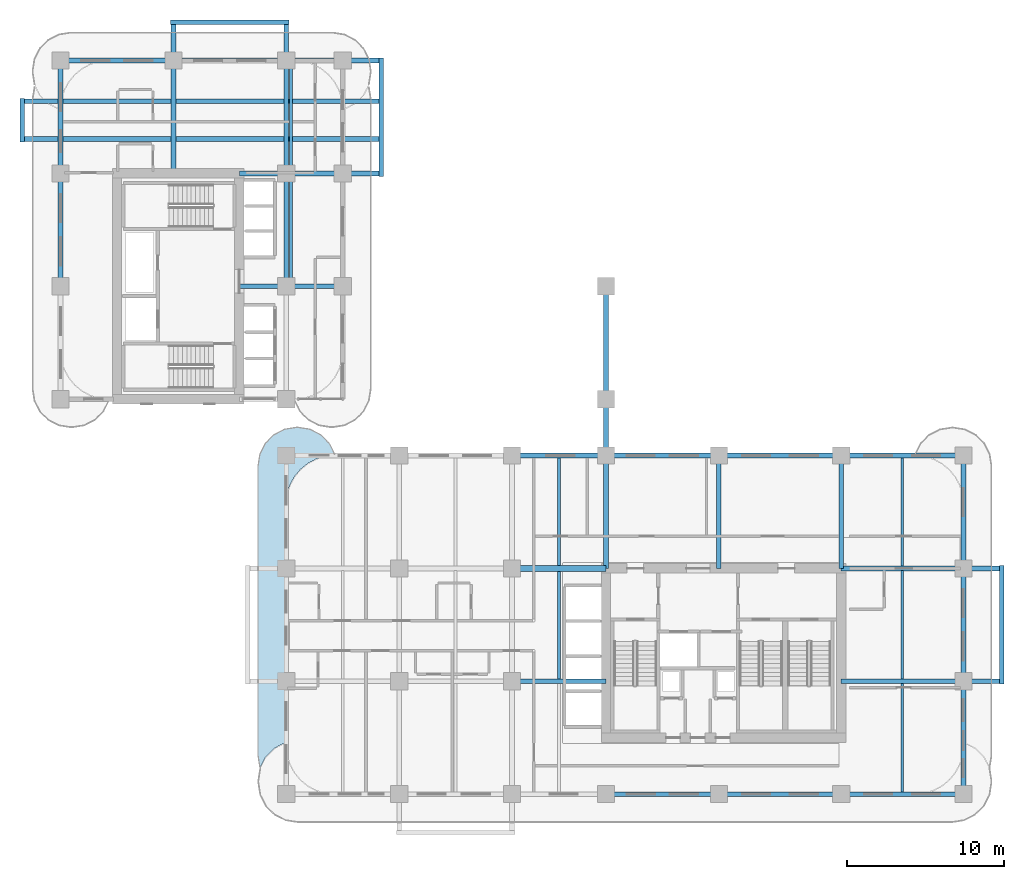
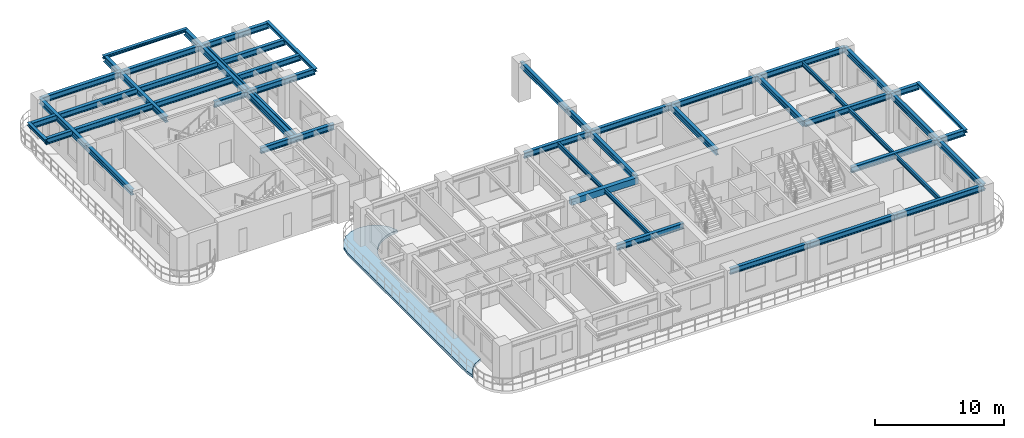
# One storey, part 3 of 18: 41 beams, 1 slab.
"""IFC4 building model written with IfcOpenShell, lengths in metres."""

from ifc_helpers import new_model, si_unit, derived_unit, direction, frame, origin, origin_2d, place, context, subcontext, project, spatial, polyline, rectangle, i_section, outline, extrude, source, transform, mapped, material, layer, layer_set, material_profile, profile_set, type_object, type_shapes, element, save


model = new_model("IFC4")

# Units and contexts
model_context = context("Model", 3, precision=1e-05, world=origin(), true_north=direction((0.0, 1.0)))
body_context = subcontext(model_context, "Body", "Model", "MODEL_VIEW")
ifc_project = project(units=[si_unit("LENGTHUNIT", "METRE"), si_unit("AREAUNIT", "SQUARE_METRE"), si_unit("VOLUMEUNIT", "CUBIC_METRE"), si_unit("PLANEANGLEUNIT", "RADIAN"), si_unit("MASSUNIT", "GRAM", prefix="KILO"), si_unit("THERMODYNAMICTEMPERATUREUNIT", "KELVIN"), si_unit("POWERUNIT", "WATT"), derived_unit("THERMALTRANSMITTANCEUNIT", [(si_unit("POWERUNIT", "WATT"), 1), (si_unit("AREAUNIT", "SQUARE_METRE"), -1), (si_unit("THERMODYNAMICTEMPERATUREUNIT", "KELVIN"), -1)])], contexts=[model_context])

# Site, building, storey
site_placement = place(None, origin())
site = spatial("IfcSite", under=ifc_project, at=site_placement, CompositionType="ELEMENT")
building_placement = place(site_placement, origin())
building = spatial("IfcBuilding", under=site, at=building_placement, Name="Zahravan Archway Hotel and Residences", CompositionType="ELEMENT")
storey_placement = place(building_placement, frame((0.0, 0.0, 36.10009765625)))
storey = spatial("IfcBuildingStorey", under=building, at=storey_placement, Name="L07", CompositionType="ELEMENT", Elevation=36.10009765625)

# Beams
ifc_material_1 = material(Name="Structural Steel S355JR", Category="steel")
ifc_material_profile_1 = material_profile(ifc_material_1, i_section(OverallWidth=0.280029296875, OverallDepth=0.280029296875, WebThickness=0.010498046875, FlangeThickness=0.01806640625, FilletRadius=0.02392578125, at=origin_2d()), Name="HEB 280", Category="steel")
ifc_profile_set_1 = profile_set([ifc_material_profile_1], Name="Structural Steel S355JR")
beam_type_1 = type_object("IfcBeamType", Name="BM-SPN-HEB280", PredefinedType="SPANDREL", material=ifc_profile_set_1)
shared_shape_1 = source(origin(), body_context, "Body", "SweptSolid", [
    extrude(i_section(OverallWidth=0.280029296875, OverallDepth=0.280029296875, WebThickness=0.010498046875, FlangeThickness=0.01806640625, FilletRadius=0.02392578125, at=origin_2d()), origin(), (0.0, 0.0, 1.0), 7.56005859375),
])
type_shapes(beam_type_1, [shared_shape_1])
for number, where, z_axis, x_axis, name in (
    (1, (60.050048828125, 7.02001953125, 3.309814453125), (0.0, 1.0, 0.0), (-1.0, 0.0, 0.0), "L08 EA Balcony Edge Spandrel"),
    (2, (20.449951171875, 39.419921875, 3.309814453125), (0.0, 1.0, 0.0), (-1.0, 0.0, 0.0), "L08 EB Balcony Edge Spandrel"),
    (3, (7.02001953125, 49.25, 3.309814453125), (1.0, 0.0, 0.0), (0.0, 1.0, 0.0), "L08 NB Balcony Edge Spandrel"),
):
    element("IfcBeam", number, at=place(storey_placement, frame(where, z_axis=z_axis, x_axis=x_axis)), inside=storey, type_object=beam_type_1, Name=name, PredefinedType="SPANDREL", context=body_context, shape_type="MappedRepresentation", body=[
        mapped(shared_shape_1, transform((0.0, 0.0, 0.0), scale=1.0)),
    ])
shared_shape_2 = source(origin(), body_context, "Body", "SweptSolid", [
    extrude(i_section(OverallWidth=0.280029296875, OverallDepth=0.280029296875, WebThickness=0.010498046875, FlangeThickness=0.01806640625, FilletRadius=0.02392578125, at=origin_2d()), origin(), (0.0, 0.0, 1.0), 2.759765625),
])
beam_1_placement = place(storey_placement, frame((-2.449951171875, 41.6201171875, 3.309814453125), z_axis=(0.0, 1.0, 0.0), x_axis=(-1.0, 0.0, 0.0)))
element("IfcBeam", 4, at=beam_1_placement, inside=storey, type_object=beam_type_1, Name="L08 WB Balcony Edge Spandrel", PredefinedType="SPANDREL", context=body_context, shape_type="MappedRepresentation", body=[
    mapped(shared_shape_2, transform((0.0, 0.0, 0.0), scale=1.0)),
])
ifc_material_2 = material(Name="Concrete C60/75", Category="concrete")
ifc_material_profile_2 = material_profile(ifc_material_2, rectangle(XDim=0.39990234375, YDim=0.60009765625, at=origin_2d()), Name="RC-LNT-400x600", Category="concrete")
ifc_profile_set_2 = profile_set([ifc_material_profile_2], Name="Concrete C60/75")
beam_type_2 = type_object("IfcBeamType", Name="LNT-RC-400x600", PredefinedType="LINTEL", material=ifc_profile_set_2)
shared_shape_3 = source(origin(), body_context, "Body", "SweptSolid", [
    extrude(rectangle(XDim=0.39990234375, YDim=0.60009765625, at=origin_2d()), origin(), (0.0, 0.0, 1.0), 6.0),
])
type_shapes(beam_type_2, [shared_shape_3])
beam_2_placement = place(storey_placement, frame((28.800048828125, 14.39990234375, 3.14990234375), z_axis=(1.0, 0.0, 0.0), x_axis=(0.0, 1.0, 0.0)))
element("IfcBeam", 5, at=beam_2_placement, inside=storey, type_object=beam_type_2, Name="L07 Core A Coupling Lintel Beam", PredefinedType="LINTEL", context=body_context, shape_type="MappedRepresentation", body=[
    mapped(shared_shape_3, transform((0.0, 0.0, 0.0), scale=1.0)),
])
ifc_material_profile_3 = material_profile(ifc_material_1, i_section(OverallWidth=0.300048828125, OverallDepth=0.550048828125, WebThickness=0.014892578125, FlangeThickness=0.029052734375, FilletRadius=0.027099609375, at=origin_2d()), Name="HEB 550", Category="steel")
ifc_profile_set_3 = profile_set([ifc_material_profile_3], Name="Structural Steel S355JR")
beam_type_3 = type_object("IfcBeamType", Name="BM-PRI-HEB550", PredefinedType="BEAM", material=ifc_profile_set_3)
shared_shape_4 = source(origin(), body_context, "Body", "SweptSolid", [
    extrude(i_section(OverallWidth=0.300048828125, OverallDepth=0.550048828125, WebThickness=0.014892578125, FlangeThickness=0.029052734375, FilletRadius=0.027099609375, at=origin_2d()), origin(), (0.0, 0.0, 1.0), 7.2001953125),
])
type_shapes(beam_type_3, [shared_shape_4])
for number, where, z_axis, x_axis, name in (
    (6, (0.0, 32.39990234375, 3.1748046875), (0.0, 1.0, 0.0), (-1.0, 0.0, 0.0), "L07 Primary Girder NS-28"),
    (7, (14.39990234375, 32.39990234375, 3.1748046875), (0.0, 1.0, 0.0), (-1.0, 0.0, 0.0), "L07 Primary Girder NS-35"),
    (8, (34.800048828125, 14.39990234375, 3.1748046875), (0.0, 1.0, 0.0), (-1.0, 0.0, 0.0), "L07 Primary Girder NS-43"),
    (9, (42.0, 14.39990234375, 3.1748046875), (0.0, 1.0, 0.0), (-1.0, 0.0, 0.0), "L07 Primary Girder NS-46"),
    (10, (49.800048828125, 14.39990234375, 3.1748046875), (0.0, 1.0, 0.0), (-1.0, 0.0, 0.0), "L07 Primary Girder NS-47"),
    (11, (57.60009765625, 14.39990234375, 3.1748046875), (0.0, 1.0, 0.0), (-1.0, 0.0, 0.0), "L07 Primary Girder NS-50"),
):
    element("IfcBeam", number, at=place(storey_placement, frame(where, z_axis=z_axis, x_axis=x_axis)), inside=storey, type_object=beam_type_3, Name=name, PredefinedType="BEAM", context=body_context, shape_type="MappedRepresentation", body=[
        mapped(shared_shape_4, transform((0.0, 0.0, 0.0), scale=1.0)),
    ])
shared_shape_5 = source(origin(), body_context, "Body", "SweptSolid", [
    extrude(i_section(OverallWidth=0.300048828125, OverallDepth=0.550048828125, WebThickness=0.014892578125, FlangeThickness=0.029052734375, FilletRadius=0.027099609375, at=origin_2d()), origin(), (0.0, 0.0, 1.0), 7.199951171875),
])
for number, where, z_axis, x_axis, name in (
    (12, (34.800048828125, 0.0, 3.1748046875), (1.0, 0.0, 0.0), (0.0, 1.0, 0.0), "L07 Primary Girder EW-04"),
    (13, (34.800048828125, 21.60009765625, 3.1748046875), (1.0, 0.0, 0.0), (0.0, 1.0, 0.0), "L07 Primary Girder EW-17"),
    (14, (0.0, 46.800048828125, 3.1748046875), (1.0, 0.0, 0.0), (0.0, 1.0, 0.0), "L07 Primary Girder EW-23"),
    (15, (0.0, 39.60009765625, 3.1748046875), (0.0, 1.0, 0.0), (-1.0, 0.0, 0.0), "L07 Primary Girder NS-29"),
    (16, (34.800048828125, 25.199951171875, 3.1748046875), (0.0, 1.0, 0.0), (-1.0, 0.0, 0.0), "L07 Primary Girder NS-45"),
    (17, (57.60009765625, 0.0, 3.1748046875), (0.0, 1.0, 0.0), (-1.0, 0.0, 0.0), "L07 Primary Girder NS-48"),
    (18, (57.60009765625, 7.199951171875, 3.1748046875), (0.0, 1.0, 0.0), (-1.0, 0.0, 0.0), "L07 Primary Girder NS-49"),
):
    element("IfcBeam", number, at=place(storey_placement, frame(where, z_axis=z_axis, x_axis=x_axis)), inside=storey, type_object=beam_type_3, Name=name, PredefinedType="BEAM", context=body_context, shape_type="MappedRepresentation", body=[
        mapped(shared_shape_5, transform((0.0, 0.0, 0.0), scale=1.0)),
    ])
shared_shape_6 = source(origin(), body_context, "Body", "SweptSolid", [
    extrude(i_section(OverallWidth=0.300048828125, OverallDepth=0.550048828125, WebThickness=0.014892578125, FlangeThickness=0.029052734375, FilletRadius=0.027099609375, at=origin_2d()), origin(), (0.0, 0.0, 1.0), 6.0),
])
for number, where, z_axis, x_axis, name in (
    (19, (28.800048828125, 7.199951171875, 3.1748046875), (1.0, 0.0, 0.0), (0.0, 1.0, 0.0), "L07 Primary Girder EW-09"),
    (20, (28.800048828125, 21.60009765625, 3.1748046875), (1.0, 0.0, 0.0), (0.0, 1.0, 0.0), "L07 Primary Girder EW-16"),
):
    element("IfcBeam", number, at=place(storey_placement, frame(where, z_axis=z_axis, x_axis=x_axis)), inside=storey, type_object=beam_type_3, Name=name, PredefinedType="BEAM", context=body_context, shape_type="MappedRepresentation", body=[
        mapped(shared_shape_6, transform((0.0, 0.0, 0.0), scale=1.0)),
    ])
shared_shape_7 = source(origin(), body_context, "Body", "SweptSolid", [
    extrude(i_section(OverallWidth=0.300048828125, OverallDepth=0.550048828125, WebThickness=0.014892578125, FlangeThickness=0.029052734375, FilletRadius=0.027099609375, at=origin_2d()), origin(), (0.0, 0.0, 1.0), 7.800048828125),
])
for number, where, z_axis, x_axis, name in (
    (21, (42.0, 0.0, 3.1748046875), (1.0, 0.0, 0.0), (0.0, 1.0, 0.0), "L07 Primary Girder EW-05"),
    (22, (49.800048828125, 0.0, 3.1748046875), (1.0, 0.0, 0.0), (0.0, 1.0, 0.0), "L07 Primary Girder EW-06"),
    (23, (42.0, 21.60009765625, 3.1748046875), (1.0, 0.0, 0.0), (0.0, 1.0, 0.0), "L07 Primary Girder EW-18"),
    (24, (49.800048828125, 21.60009765625, 3.1748046875), (1.0, 0.0, 0.0), (0.0, 1.0, 0.0), "L07 Primary Girder EW-19"),
):
    element("IfcBeam", number, at=place(storey_placement, frame(where, z_axis=z_axis, x_axis=x_axis)), inside=storey, type_object=beam_type_3, Name=name, PredefinedType="BEAM", context=body_context, shape_type="MappedRepresentation", body=[
        mapped(shared_shape_7, transform((0.0, 0.0, 0.0), scale=1.0)),
    ])
shared_shape_8 = source(origin(), body_context, "Body", "SweptSolid", [
    extrude(i_section(OverallWidth=0.300048828125, OverallDepth=0.550048828125, WebThickness=0.014892578125, FlangeThickness=0.029052734375, FilletRadius=0.027099609375, at=origin_2d()), origin(), (0.0, 0.0, 1.0), 6.60009765625),
])
beam_3_placement = place(storey_placement, frame((11.39990234375, 32.39990234375, 3.1748046875), z_axis=(1.0, 0.0, 0.0), x_axis=(0.0, 1.0, 0.0)))
element("IfcBeam", 25, at=beam_3_placement, inside=storey, type_object=beam_type_3, Name="L07 Primary Girder EW-21", PredefinedType="BEAM", context=body_context, shape_type="MappedRepresentation", body=[
    mapped(shared_shape_8, transform((0.0, 0.0, 0.0), scale=1.0)),
])
shared_shape_9 = source(origin(), body_context, "Body", "SweptSolid", [
    extrude(i_section(OverallWidth=0.300048828125, OverallDepth=0.550048828125, WebThickness=0.014892578125, FlangeThickness=0.029052734375, FilletRadius=0.027099609375, at=origin_2d()), origin(), (0.0, 0.0, 1.0), 3.599853515625),
])
beam_4_placement = place(storey_placement, frame((34.800048828125, 21.60009765625, 3.1748046875), z_axis=(0.0, 1.0, 0.0), x_axis=(-1.0, 0.0, 0.0)))
element("IfcBeam", 26, at=beam_4_placement, inside=storey, type_object=beam_type_3, Name="L07 Primary Girder NS-44", PredefinedType="BEAM", context=body_context, shape_type="MappedRepresentation", body=[
    mapped(shared_shape_9, transform((0.0, 0.0, 0.0), scale=1.0)),
])
ifc_material_profile_4 = material_profile(ifc_material_1, i_section(OverallWidth=0.179931640625, OverallDepth=0.39990234375, WebThickness=0.008544921875, FlangeThickness=0.013427734375, FilletRadius=0.02099609375, at=origin_2d()), Name="IPE 400", Category="steel")
ifc_profile_set_4 = profile_set([ifc_material_profile_4], Name="Structural Steel S355JR")
beam_type_4 = type_object("IfcBeamType", Name="BM-JST-IPE400", PredefinedType="JOIST", material=ifc_profile_set_4)
shared_shape_10 = source(origin(), body_context, "Body", "SweptSolid", [
    extrude(i_section(OverallWidth=0.179931640625, OverallDepth=0.39990234375, WebThickness=0.008544921875, FlangeThickness=0.013427734375, FilletRadius=0.02099609375, at=origin_2d()), origin(), (0.0, 0.0, 1.0), 6.904052734375),
])
type_shapes(beam_type_4, [shared_shape_10])
for number, where, z_axis, x_axis, name in (
    (27, (53.699951171875, 0.14794921875, 3.25), (0.0, 1.0, 0.0), (-1.0, 0.0, 0.0), "L07 Composite Floor Joist 04"),
    (28, (53.699951171875, 7.347900390625, 3.25), (0.0, 1.0, 0.0), (-1.0, 0.0, 0.0), "L07 Composite Floor Joist 08"),
    (29, (14.699951171875, 39.748046875, 3.25), (0.0, 1.0, 0.0), (-1.0, 0.0, 0.0), "L07 Composite Floor Joist 14"),
):
    element("IfcBeam", number, at=place(storey_placement, frame(where, z_axis=z_axis, x_axis=x_axis)), inside=storey, type_object=beam_type_4, Name=name, PredefinedType="JOIST", context=body_context, shape_type="MappedRepresentation", body=[
        mapped(shared_shape_10, transform((0.0, 0.0, 0.0), scale=1.0)),
    ])
shared_shape_11 = source(origin(), body_context, "Body", "SweptSolid", [
    extrude(i_section(OverallWidth=0.179931640625, OverallDepth=0.39990234375, WebThickness=0.008544921875, FlangeThickness=0.013427734375, FilletRadius=0.02099609375, at=origin_2d()), origin(), (0.0, 0.0, 1.0), 6.85400390625),
])
for number, where, z_axis, x_axis, name in (
    (30, (31.800048828125, 7.347900390625, 3.25), (0.0, 1.0, 0.0), (-1.0, 0.0, 0.0), "L07 Composite Floor Joist 07"),
    (31, (31.800048828125, 14.597900390625, 3.25), (0.0, 1.0, 0.0), (-1.0, 0.0, 0.0), "L07 Composite Floor Joist 09"),
):
    element("IfcBeam", number, at=place(storey_placement, frame(where, z_axis=z_axis, x_axis=x_axis)), inside=storey, type_object=beam_type_4, Name=name, PredefinedType="JOIST", context=body_context, shape_type="MappedRepresentation", body=[
        mapped(shared_shape_11, transform((0.0, 0.0, 0.0), scale=1.0)),
    ])
shared_shape_12 = source(origin(), body_context, "Body", "SweptSolid", [
    extrude(i_section(OverallWidth=0.179931640625, OverallDepth=0.39990234375, WebThickness=0.008544921875, FlangeThickness=0.013427734375, FilletRadius=0.02099609375, at=origin_2d()), origin(), (0.0, 0.0, 1.0), 6.90380859375),
])
for number, where, z_axis, x_axis, name in (
    (32, (53.699951171875, 14.548095703125, 3.25), (0.0, 1.0, 0.0), (-1.0, 0.0, 0.0), "L07 Composite Floor Joist 12"),
    (33, (14.699951171875, 32.548095703125, 3.25), (0.0, 1.0, 0.0), (-1.0, 0.0, 0.0), "L07 Composite Floor Joist 13"),
):
    element("IfcBeam", number, at=place(storey_placement, frame(where, z_axis=z_axis, x_axis=x_axis)), inside=storey, type_object=beam_type_4, Name=name, PredefinedType="JOIST", context=body_context, shape_type="MappedRepresentation", body=[
        mapped(shared_shape_12, transform((0.0, 0.0, 0.0), scale=1.0)),
    ])
shared_shape_13 = source(origin(), body_context, "Body", "SweptSolid", [
    extrude(i_section(OverallWidth=0.300048828125, OverallDepth=0.550048828125, WebThickness=0.014892578125, FlangeThickness=0.029052734375, FilletRadius=0.027099609375, at=origin_2d()), origin(), (0.0, 0.0, 1.0), 10.25),
])
for number, where, z_axis, x_axis, name in (
    (34, (49.800048828125, 7.199951171875, 3.1748046875), (1.0, 0.0, 0.0), (0.0, 1.0, 0.0), "L07 Primary Girder EW-10"),
    (35, (49.800048828125, 14.39990234375, 3.1748046875), (1.0, 0.0, 0.0), (0.0, 1.0, 0.0), "L07 Primary Girder EW-13"),
):
    element("IfcBeam", number, at=place(storey_placement, frame(where, z_axis=z_axis, x_axis=x_axis)), inside=storey, type_object=beam_type_3, Name=name, PredefinedType="BEAM", context=body_context, shape_type="MappedRepresentation", body=[
        mapped(shared_shape_13, transform((0.0, 0.0, 0.0), scale=1.0)),
    ])
shared_shape_14 = source(origin(), body_context, "Body", "SweptSolid", [
    extrude(i_section(OverallWidth=0.300048828125, OverallDepth=0.550048828125, WebThickness=0.014892578125, FlangeThickness=0.029052734375, FilletRadius=0.027099609375, at=origin_2d()), origin(), (0.0, 0.0, 1.0), 9.050048828125),
])
beam_5_placement = place(storey_placement, frame((11.39990234375, 39.60009765625, 3.1748046875), z_axis=(1.0, 0.0, 0.0), x_axis=(0.0, 1.0, 0.0)))
element("IfcBeam", 36, at=beam_5_placement, inside=storey, type_object=beam_type_3, Name="L07 Primary Girder EW-22", PredefinedType="BEAM", context=body_context, shape_type="MappedRepresentation", body=[
    mapped(shared_shape_14, transform((0.0, 0.0, 0.0), scale=1.0)),
])
shared_shape_15 = source(origin(), body_context, "Body", "SweptSolid", [
    extrude(i_section(OverallWidth=0.300048828125, OverallDepth=0.550048828125, WebThickness=0.014892578125, FlangeThickness=0.029052734375, FilletRadius=0.027099609375, at=origin_2d()), origin(), (0.0, 0.0, 1.0), 13.25),
])
beam_6_placement = place(storey_placement, frame((7.199951171875, 46.800048828125, 3.1748046875), z_axis=(1.0, 0.0, 0.0), x_axis=(0.0, 1.0, 0.0)))
element("IfcBeam", 37, at=beam_6_placement, inside=storey, type_object=beam_type_3, Name="L07 Primary Girder EW-24", PredefinedType="BEAM", context=body_context, shape_type="MappedRepresentation", body=[
    mapped(shared_shape_15, transform((0.0, 0.0, 0.0), scale=1.0)),
])
shared_shape_16 = source(origin(), body_context, "Body", "SweptSolid", [
    extrude(i_section(OverallWidth=0.300048828125, OverallDepth=0.550048828125, WebThickness=0.014892578125, FlangeThickness=0.029052734375, FilletRadius=0.027099609375, at=origin_2d()), origin(), (0.0, 0.0, 1.0), 22.89990234375),
])
for number, where, z_axis, x_axis, name in (
    (38, (-2.449951171875, 41.800048828125, 3.1748046875), (1.0, 0.0, 0.0), (0.0, 1.0, 0.0), "L07 Primary Girder EW-25"),
    (39, (-2.449951171875, 44.199951171875, 3.1748046875), (1.0, 0.0, 0.0), (0.0, 1.0, 0.0), "L07 Primary Girder EW-26"),
):
    element("IfcBeam", number, at=place(storey_placement, frame(where, z_axis=z_axis, x_axis=x_axis)), inside=storey, type_object=beam_type_3, Name=name, PredefinedType="BEAM", context=body_context, shape_type="MappedRepresentation", body=[
        mapped(shared_shape_16, transform((0.0, 0.0, 0.0), scale=1.0)),
    ])
shared_shape_17 = source(origin(), body_context, "Body", "SweptSolid", [
    extrude(i_section(OverallWidth=0.300048828125, OverallDepth=0.550048828125, WebThickness=0.014892578125, FlangeThickness=0.029052734375, FilletRadius=0.027099609375, at=origin_2d()), origin(), (0.0, 0.0, 1.0), 9.64990234375),
])
for number, where, z_axis, x_axis, name in (
    (40, (7.199951171875, 39.60009765625, 3.1748046875), (0.0, 1.0, 0.0), (-1.0, 0.0, 0.0), "L07 Primary Girder NS-30"),
    (41, (14.39990234375, 39.60009765625, 3.1748046875), (0.0, 1.0, 0.0), (-1.0, 0.0, 0.0), "L07 Primary Girder NS-36"),
):
    element("IfcBeam", number, at=place(storey_placement, frame(where, z_axis=z_axis, x_axis=x_axis)), inside=storey, type_object=beam_type_3, Name=name, PredefinedType="BEAM", context=body_context, shape_type="MappedRepresentation", body=[
        mapped(shared_shape_17, transform((0.0, 0.0, 0.0), scale=1.0)),
    ])

# Slab
ifc_material_3 = material(Name="Concrete C45/55", Category="concrete")
ifc_layer = layer(ifc_material_3, 0.25, Name="Concrete C45/55", Category="concrete")
ifc_layer_set = layer_set([ifc_layer], Name="Concrete C45/55")
slab_type = type_object("IfcSlabType", Name="SLB-BALC-250", PredefinedType="FLOOR", material=ifc_layer_set)
slab_placement = place(storey_placement, frame((0.0, 0.0, -0.25)))
element("IfcSlab", 42, at=slab_placement, inside=storey, type_object=slab_type, Name="L07 Wing A West Rounded Balcony Band", PredefinedType="FLOOR", context=body_context, shape_type="SweptSolid", body=[
    extrude(outline(polyline([(12.719970703125, 1.69287109375), (12.60009765625, 2.449951171875), (12.60009765625, 20.949951171875), (12.719970703125, 21.70703125), (13.06787109375, 22.39013671875), (13.60986328125, 22.93212890625), (14.29296875, 23.280029296875), (15.050048828125, 23.39990234375), (15.14990234375, 23.39990234375), (15.906982421875, 23.280029296875), (16.590087890625, 22.93212890625), (17.132080078125, 22.39013671875), (17.47998046875, 21.70703125), (17.493896484375, 21.619384765625), (16.893310546875, 21.560302734375), (16.891357421875, 21.56005859375), (16.889404296875, 21.5595703125), (16.307861328125, 21.383056640625), (16.305908203125, 21.382568359375), (16.30419921875, 21.381591796875), (15.768310546875, 21.09521484375), (15.7666015625, 21.09423828125), (15.764892578125, 21.093017578125), (15.29541015625, 20.70751953125), (15.2939453125, 20.7060546875), (15.29248046875, 20.70458984375), (14.906982421875, 20.235107421875), (14.90576171875, 20.2333984375), (14.90478515625, 20.231689453125), (14.618408203125, 19.69580078125), (14.617431640625, 19.694091796875), (14.616943359375, 19.692138671875), (14.4404296875, 19.110595703125), (14.43994140625, 19.108642578125), (14.439697265625, 19.106689453125), (14.380126953125, 18.501953125), (14.3798828125, 18.5), (14.3798828125, 3.298095703125), (14.37890625, 3.298095703125), (14.376953125, 3.2978515625), (14.35888671875, 3.294921875), (14.356689453125, 3.29443359375), (14.354736328125, 3.2939453125), (14.352783203125, 3.29296875), (13.64208984375, 2.930908203125), (13.64013671875, 2.9296875), (13.638427734375, 2.928466796875), (13.636962890625, 2.927001953125), (13.072998046875, 2.363037109375), (13.071533203125, 2.361572265625), (13.0703125, 2.35986328125), (13.069091796875, 2.35791015625), (12.72509765625, 1.6826171875), (12.719970703125, 1.69287109375)])), origin(), (0.0, 0.0, 1.0), 0.25),
])

save(model, "model.ifc")
